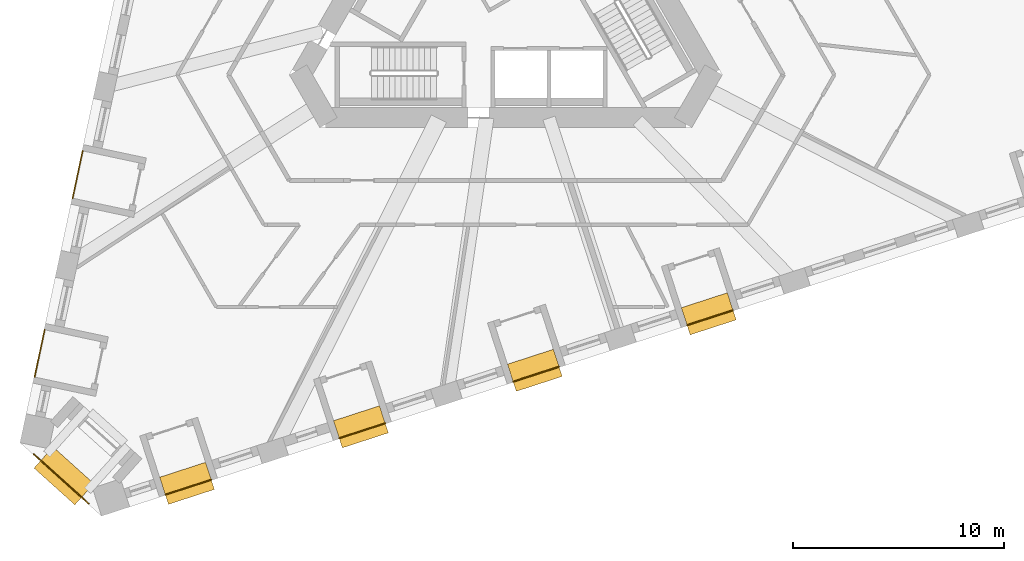
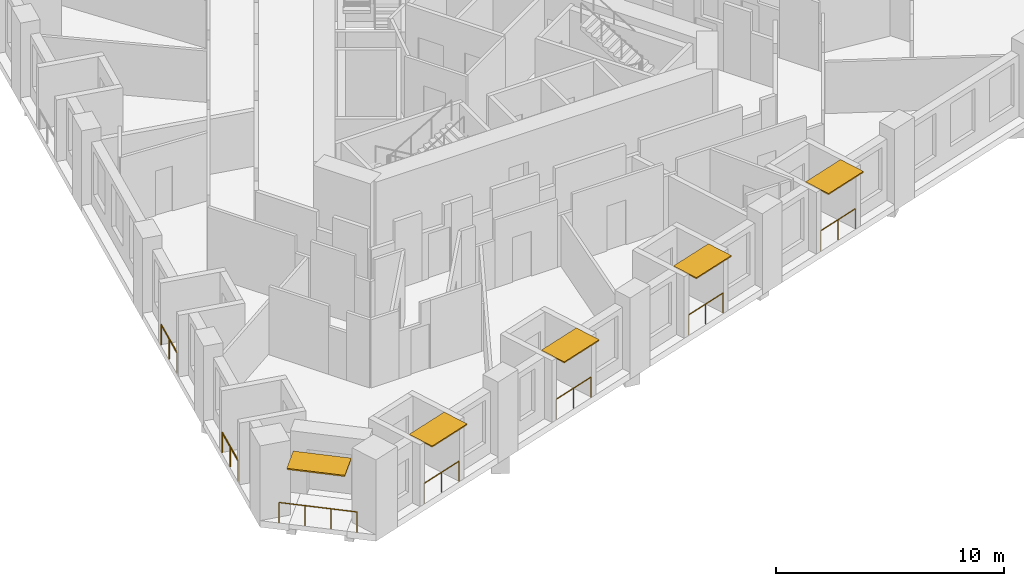
# One storey, part 10 of 12: 7 railings, 5 shading devices.
"""IFC4 building model written with IfcOpenShell, lengths in metres."""

from ifc_helpers import new_model, si_unit, direction, frame, origin, origin_2d, place, context, subcontext, project, spatial, rectangle, circle, extrude, material, layer, layer_set, type_object, element, save


model = new_model("IFC4")

# Units and contexts
model_context = context("Model", 3, precision=1e-05, world=origin(), true_north=direction((0.0, 1.0)))
body_context = subcontext(model_context, "Body", "Model", "MODEL_VIEW")
ifc_project = project(units=[si_unit("LENGTHUNIT", "METRE"), si_unit("AREAUNIT", "SQUARE_METRE"), si_unit("VOLUMEUNIT", "CUBIC_METRE"), si_unit("PLANEANGLEUNIT", "RADIAN"), si_unit("MASSUNIT", "GRAM", prefix="KILO")], contexts=[model_context])

# Site, building, storey
site_placement = place(None, origin())
site = spatial("IfcSite", under=ifc_project, at=site_placement, CompositionType="ELEMENT")
building_placement = place(site_placement, origin())
building = spatial("IfcBuilding", under=site, at=building_placement, Name="Tramontana Tower", CompositionType="ELEMENT")
storey_placement = place(building_placement, frame((0.0, 0.0, 88.39990234375)))
storey = spatial("IfcBuildingStorey", under=building, at=storey_placement, Name="L19", CompositionType="ELEMENT", Elevation=88.39990234375)

# Railings
ifc_material_1 = material(Name="Laminated glass balustrade", Category="glass")
railing_type = type_object("IfcRailingType", Name="GD1 Loggia glass balustrade 1100", PredefinedType="BALUSTRADE", material=ifc_material_1)
railing_1_placement = place(storey_placement, frame((-20.04052734375, -7.85205078125, 0.0)))
element("IfcRailing", 1, at=railing_1_placement, inside=storey, type_object=railing_type, Name="Loggia balustrade L19 G2S0.13", PredefinedType="BALUSTRADE", context=body_context, shape_type="SweptSolid", body=[
    extrude(circle(Radius=0.02392578125, at=origin_2d()), frame((0.0, 0.0, 1.076171875), z_axis=(-0.207888126836, -0.978152609116, 0.0), x_axis=(0.978152609116, -0.207888126836, 0.0)), (0.0, 0.0, 1.0), 2.28662109375),
    extrude(circle(Radius=0.02099609375, at=origin_2d()), origin(), (0.0, 0.0, 1.0), 1.052001953125),
    extrude(circle(Radius=0.02099609375, at=origin_2d()), frame((-0.23779296875, -1.1181640625, 0.0)), (0.0, 0.0, 1.0), 1.052001953125),
    extrude(circle(Radius=0.02099609375, at=origin_2d()), frame((-0.475341796875, -2.236572265625, 0.0)), (0.0, 0.0, 1.0), 1.052001953125),
])
railing_2_placement = place(storey_placement, frame((-21.841064453125, -16.322998046875, 0.0)))
element("IfcRailing", 2, at=railing_2_placement, inside=storey, type_object=railing_type, Name="Loggia balustrade L19 G2S0.16", PredefinedType="BALUSTRADE", context=body_context, shape_type="SweptSolid", body=[
    extrude(circle(Radius=0.02392578125, at=origin_2d()), frame((0.0, 0.0, 1.076171875), z_axis=(-0.207866417042, -0.978157222877, 0.0), x_axis=(0.978157222877, -0.207866417042, 0.0)), (0.0, 0.0, 1.0), 2.286865234375),
    extrude(circle(Radius=0.02099609375, at=origin_2d()), origin(), (0.0, 0.0, 1.0), 1.052001953125),
    extrude(circle(Radius=0.02099609375, at=origin_2d()), frame((-0.23779296875, -1.118408203125, 0.0)), (0.0, 0.0, 1.0), 1.052001953125),
    extrude(circle(Radius=0.02099609375, at=origin_2d()), frame((-0.475341796875, -2.23681640625, 0.0)), (0.0, 0.0, 1.0), 1.052001953125),
])
railing_3_placement = place(storey_placement, frame((-16.125244140625, -24.13427734375, 0.0)))
element("IfcRailing", 3, at=railing_3_placement, inside=storey, type_object=railing_type, Name="Loggia balustrade L19 G2S1.1", PredefinedType="BALUSTRADE", context=body_context, shape_type="SweptSolid", body=[
    extrude(circle(Radius=0.02392578125, at=origin_2d()), frame((0.0, 0.0, 1.076171875), z_axis=(0.95103720697, 0.309076416051, 0.0), x_axis=(-0.309076416051, 0.95103720697, 0.0)), (0.0, 0.0, 1.0), 2.286865234375),
    extrude(circle(Radius=0.02099609375, at=origin_2d()), origin(), (0.0, 0.0, 1.0), 1.052001953125),
    extrude(circle(Radius=0.02099609375, at=origin_2d()), frame((1.08740234375, 0.353515625, 0.0)), (0.0, 0.0, 1.0), 1.052001953125),
    extrude(circle(Radius=0.02099609375, at=origin_2d()), frame((2.1748046875, 0.706787109375, 0.0)), (0.0, 0.0, 1.0), 1.052001953125),
])
railing_4_placement = place(storey_placement, frame((-7.888916015625, -21.4580078125, 0.0)))
element("IfcRailing", 4, at=railing_4_placement, inside=storey, type_object=railing_type, Name="Loggia balustrade L19 G2S1.4", PredefinedType="BALUSTRADE", context=body_context, shape_type="SweptSolid", body=[
    extrude(circle(Radius=0.02392578125, at=origin_2d()), frame((0.0, 0.0, 1.076171875), z_axis=(0.951068585107, 0.308979847923, 0.0), x_axis=(-0.308979847923, 0.951068585107, 0.0)), (0.0, 0.0, 1.0), 2.28662109375),
    extrude(circle(Radius=0.02099609375, at=origin_2d()), origin(), (0.0, 0.0, 1.0), 1.052001953125),
    extrude(circle(Radius=0.02099609375, at=origin_2d()), frame((1.08740234375, 0.353271484375, 0.0)), (0.0, 0.0, 1.0), 1.052001953125),
    extrude(circle(Radius=0.02099609375, at=origin_2d()), frame((2.1748046875, 0.70654296875, 0.0)), (0.0, 0.0, 1.0), 1.052001953125),
])
railing_5_placement = place(storey_placement, frame((0.347412109375, -18.781982421875, 0.0)))
element("IfcRailing", 5, at=railing_5_placement, inside=storey, type_object=railing_type, Name="Loggia balustrade L19 G2S1.7", PredefinedType="BALUSTRADE", context=body_context, shape_type="SweptSolid", body=[
    extrude(circle(Radius=0.02392578125, at=origin_2d()), frame((0.0, 0.0, 1.076171875), z_axis=(0.95103720697, 0.309076416051, 0.0), x_axis=(-0.309076416051, 0.95103720697, 0.0)), (0.0, 0.0, 1.0), 2.286865234375),
    extrude(circle(Radius=0.02099609375, at=origin_2d()), origin(), (0.0, 0.0, 1.0), 1.052001953125),
    extrude(circle(Radius=0.02099609375, at=origin_2d()), frame((1.08740234375, 0.353515625, 0.0)), (0.0, 0.0, 1.0), 1.052001953125),
    extrude(circle(Radius=0.02099609375, at=origin_2d()), frame((2.1748046875, 0.706787109375, 0.0)), (0.0, 0.0, 1.0), 1.052001953125),
])
railing_6_placement = place(storey_placement, frame((8.583740234375, -16.105712890625, 0.0)))
element("IfcRailing", 6, at=railing_6_placement, inside=storey, type_object=railing_type, Name="Loggia balustrade L19 G2S1.10", PredefinedType="BALUSTRADE", context=body_context, shape_type="SweptSolid", body=[
    extrude(circle(Radius=0.02392578125, at=origin_2d()), frame((0.0, 0.0, 1.076171875), z_axis=(0.951068585107, 0.308979847923, 0.0), x_axis=(-0.308979847923, 0.951068585107, 0.0)), (0.0, 0.0, 1.0), 2.28662109375),
    extrude(circle(Radius=0.02099609375, at=origin_2d()), origin(), (0.0, 0.0, 1.0), 1.052001953125),
    extrude(circle(Radius=0.02099609375, at=origin_2d()), frame((1.08740234375, 0.353271484375, 0.0)), (0.0, 0.0, 1.0), 1.052001953125),
    extrude(circle(Radius=0.02099609375, at=origin_2d()), frame((2.1748046875, 0.70654296875, 0.0)), (0.0, 0.0, 1.0), 1.052001953125),
])
railing_7_placement = place(storey_placement, frame((-19.757080078125, -24.557861328125, 0.0)))
element("IfcRailing", 7, at=railing_7_placement, inside=storey, type_object=railing_type, Name="Corner loggia balustrade L19 K21", PredefinedType="BALUSTRADE", context=body_context, shape_type="SweptSolid", body=[
    extrude(circle(Radius=0.02392578125, at=origin_2d()), frame((0.0, 0.0, 1.076171875), z_axis=(-0.743141519559, 0.669134277936, 0.0), x_axis=(-0.669134277936, -0.743141519559, 0.0)), (0.0, 0.0, 1.0), 3.5),
    extrude(circle(Radius=0.02099609375, at=origin_2d()), origin(), (0.0, 0.0, 1.0), 1.052001953125),
    extrude(circle(Radius=0.02099609375, at=origin_2d()), frame((-0.866943359375, 0.78076171875, 0.0)), (0.0, 0.0, 1.0), 1.052001953125),
    extrude(circle(Radius=0.02099609375, at=origin_2d()), frame((-1.734130859375, 1.561279296875, 0.0)), (0.0, 0.0, 1.0), 1.052001953125),
    extrude(circle(Radius=0.02099609375, at=origin_2d()), frame((-2.60107421875, 2.342041015625, 0.0)), (0.0, 0.0, 1.0), 1.052001953125),
])

# Shading devices
ifc_material_2 = material(Name="Precast concrete 60 MPa", Category="concrete")
ifc_layer_1 = layer(ifc_material_2, 0.06005859375)
ifc_layer_set_1 = layer_set([ifc_layer_1], Name="SS1 Stone sunshade blade 60")
shading_device_type_1 = type_object("IfcShadingDeviceType", Name="SS1 Stone sunshade blade 60", PredefinedType="USERDEFINED", material=ifc_layer_set_1)
for number, where, z_axis, x_axis, name in (
    (8, (-15.09814453125, -23.595458984375, 3.239990234375), (0.0, 0.0, 1.0), (0.951056516295, 0.309016994375, 0.0), "Sunshade L19 G2S1.1"),
    (9, (-6.86181640625, -20.919189453125, 3.239990234375), (0.0, 0.0, 1.0), (0.951056516295, 0.309016994375, 0.0), "Sunshade L19 G2S1.4"),
    (10, (1.37451171875, -18.2431640625, 3.239990234375), (0.0, 0.0, 1.0), (0.951056516295, 0.309016994375, 0.0), "Sunshade L19 G2S1.7"),
    (11, (9.611083984375, -15.56689453125, 3.239990234375), (0.0, 0.0, 1.0), (0.951056516295, 0.309016994375, 0.0), "Sunshade L19 G2S1.10"),
):
    element("IfcShadingDevice", number, at=place(storey_placement, frame(where, z_axis=z_axis, x_axis=x_axis)), inside=storey, type_object=shading_device_type_1, Name=name, ObjectType="SUNSHADE", PredefinedType="USERDEFINED", context=body_context, shape_type="SweptSolid", body=[
        extrude(rectangle(XDim=2.286865234375, YDim=1.35009765625, at=origin_2d()), origin(), (0.0, 0.0, 1.0), 0.06005859375),
    ])
ifc_material_3 = material(Name="Precast concrete 60 MPa", Category="concrete")
ifc_layer_2 = layer(ifc_material_3, 0.070068359375)
ifc_layer_set_2 = layer_set([ifc_layer_2], Name="SS2 Stone sunshade blade 70")
shading_device_type_2 = type_object("IfcShadingDeviceType", Name="SS2 Stone sunshade blade 70", PredefinedType="USERDEFINED", material=ifc_layer_set_2)
shading_device_placement = place(storey_placement, frame((-20.927001953125, -23.241943359375, 3.22998046875), z_axis=(0.0, 0.0, 1.0), x_axis=(-0.743144825477, 0.669130606359, 0.0)))
element("IfcShadingDevice", 12, at=shading_device_placement, inside=storey, type_object=shading_device_type_2, Name="Corner sunshade L19 K21", ObjectType="SUNSHADE", PredefinedType="USERDEFINED", context=body_context, shape_type="SweptSolid", body=[
    extrude(rectangle(XDim=2.60009765625, YDim=1.35009765625, at=origin_2d()), origin(), (0.0, 0.0, 1.0), 0.070068359375),
])

save(model, "model.ifc")
